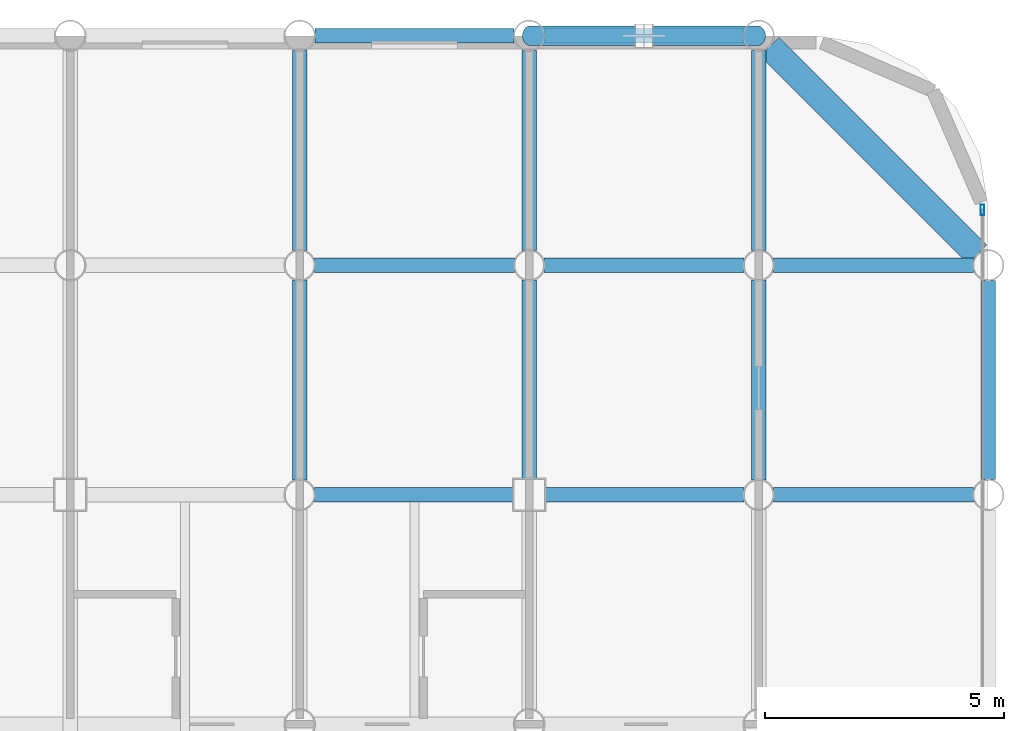
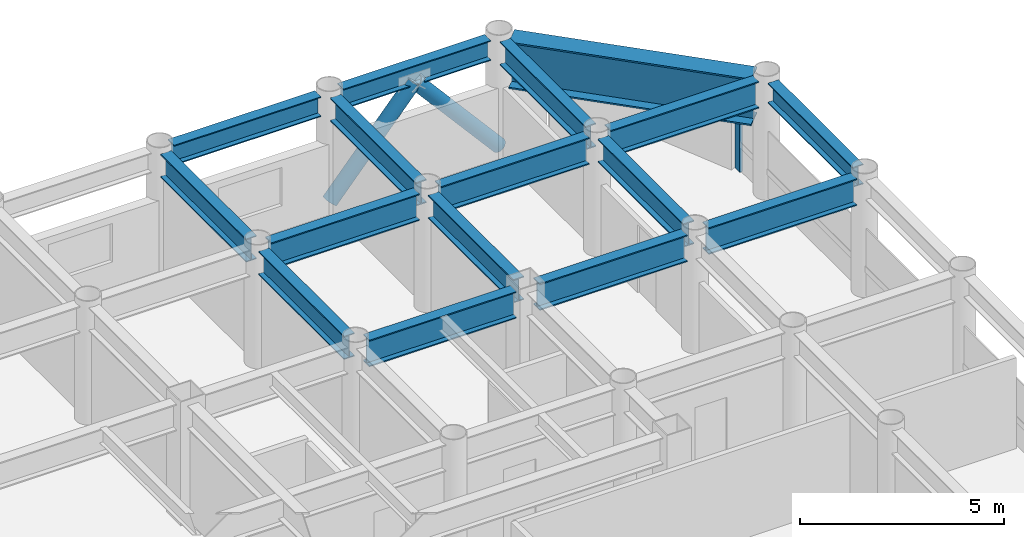
# One storey, part 14 of 20: 16 beams, 3 members, 1 element without a shape of its own.
"""IFC4 building model written with IfcOpenShell, lengths in metres."""

import ifcopenshell
import ifcopenshell.guid

model = None  # the IFC model being written
_history = None  # IfcOwnerHistory: only IFC2X3 demands one
_inside = {}  # id of a spatial element -> (the spatial element, [elements in it])
_under = {}  # id of a project, library or spatial element -> (it, [spatial elements below it])
_declared = {}  # id of a project -> (the project, [libraries it declares])
_typed = {}  # id of a type object -> (the type object, [elements of that type])
_made_of = {}  # id of a material, layer set ... -> (it, [elements and type objects made of it])


def new_model(schema):
    """Start an empty IFC model of exactly this schema.

    Asked for "IFC4X3", IfcOpenShell would pick the latest addendum, in which some entities
    have other attributes; the version numbers below select the first issue.
    IFC2X3 requires an IfcOwnerHistory on every rooted entity: one is made here for all.
    """
    global model, _history
    if schema == "IFC4X3":
        model = ifcopenshell.file(schema_version=(4, 3, 0, 0))
    else:
        model = ifcopenshell.file(schema=schema)
    _inside.clear()
    _under.clear()
    _declared.clear()
    _typed.clear()
    _made_of.clear()
    _history = None
    if model.schema == "IFC2X3":
        org = make("IfcOrganization", Name="unknown")
        user = make(
            "IfcPersonAndOrganization",
            ThePerson=make("IfcPerson", FamilyName="unknown"),
            TheOrganization=org,
        )
        app = make(
            "IfcApplication",
            ApplicationDeveloper=org,
            Version="unknown",
            ApplicationFullName="unknown",
            ApplicationIdentifier="unknown",
        )
        _history = make(
            "IfcOwnerHistory",
            OwningUser=user,
            OwningApplication=app,
            ChangeAction="ADDED",
            CreationDate=0,
        )
    return model


def make(cls, **values):
    """One entity of the class cls with the attributes given. An attribute that is None is left unset."""
    return model.create_entity(
        cls, **{name: value for name, value in values.items() if value is not None}
    )


def rooted(cls, **values):
    """An entity with a GlobalId (a new one), such as an element, a storey or a relation."""
    return make(cls, GlobalId=ifcopenshell.guid.new(), OwnerHistory=_history, **values)


def si_unit(unit_type, name, prefix=None):
    """IfcSIUnit, for example si_unit("LENGTHUNIT", "METRE", prefix="MILLI")."""
    return make("IfcSIUnit", UnitType=unit_type, Prefix=prefix, Name=name)


def assignment(units):
    """IfcUnitAssignment: the units of a project."""
    return None if units is None else make("IfcUnitAssignment", Units=units)


def point(xyz):
    """IfcCartesianPoint."""
    return None if xyz is None else make("IfcCartesianPoint", Coordinates=xyz)


def direction(xyz):
    """IfcDirection."""
    return None if xyz is None else make("IfcDirection", DirectionRatios=xyz)


def frame(location, z_axis=None, x_axis=None):
    """IfcAxis2Placement3D, a coordinate frame: its origin and axes. An axis left out is left unset."""
    return make(
        "IfcAxis2Placement3D",
        Location=point(location),
        Axis=direction(z_axis),
        RefDirection=direction(x_axis),
    )


def frame_2d(location, x_axis=None):
    """IfcAxis2Placement2D, a coordinate frame in the plane: its origin and x axis."""
    return make(
        "IfcAxis2Placement2D", Location=point(location), RefDirection=direction(x_axis)
    )


def origin():
    """The frame at (0, 0, 0) with its axes left unset."""
    return frame((0.0, 0.0, 0.0))


def origin_2d():
    """The frame at (0, 0) in the plane with its x axis left unset."""
    return frame_2d((0.0, 0.0))


def place(relative_to, where):
    """IfcLocalPlacement: puts the frame where relative to a parent placement (None: the world)."""
    return make(
        "IfcLocalPlacement", PlacementRelTo=relative_to, RelativePlacement=where
    )


def context(
    kind, dimensions, precision=None, world=None, true_north=None, identifier=None
):
    """IfcGeometricRepresentationContext, for example the 3D "Model" context."""
    return make(
        "IfcGeometricRepresentationContext",
        ContextIdentifier=identifier,
        ContextType=kind,
        CoordinateSpaceDimension=dimensions,
        Precision=precision,
        WorldCoordinateSystem=world,
        TrueNorth=true_north,
    )


def subcontext(parent, identifier, kind, view, scale=None):
    """IfcGeometricRepresentationSubContext, for example "Body" below "Model"."""
    return make(
        "IfcGeometricRepresentationSubContext",
        ContextIdentifier=identifier,
        ContextType=kind,
        ParentContext=parent,
        TargetScale=scale,
        TargetView=view,
    )


def project(units=None, contexts=None):
    """IfcProject with its units and contexts."""
    return rooted(
        "IfcProject",
        Name="project",
        RepresentationContexts=contexts,
        UnitsInContext=assignment(units),
    )


def spatial(cls, under=None, at=None, **own):
    """A site, building, storey or space (cls), placed at a placement, below another one or the project."""
    s = rooted(cls, ObjectPlacement=at, **own)
    if under is not None:
        _under.setdefault(under.id(), (under, []))[1].append(s)
    return s


def profile(cls, at=None, kind="AREA", **sizes):
    """A parametric profile (cls). Its sizes go by their IFC names, for example OverallWidth=200.0."""
    return make(cls, ProfileType=kind, Position=at, **sizes)


def hollow_rectangle(**sizes):
    """IfcRectangleHollowProfileDef."""
    return profile("IfcRectangleHollowProfileDef", **sizes)


def hollow_circle(**sizes):
    """IfcCircleHollowProfileDef."""
    return profile("IfcCircleHollowProfileDef", **sizes)


def i_section(**sizes):
    """IfcIShapeProfileDef."""
    return profile("IfcIShapeProfileDef", **sizes)


def extrude(swept, where, along, depth):
    """IfcExtrudedAreaSolid: the profile swept, set in the frame where, extruded along a direction by depth."""
    return make(
        "IfcExtrudedAreaSolid",
        SweptArea=swept,
        Position=where,
        ExtrudedDirection=direction(along),
        Depth=depth,
    )


def shape(context_of_items, identifier, shape_type, items):
    """IfcShapeRepresentation: the items that make up one representation, for example the "Body"."""
    return make(
        "IfcShapeRepresentation",
        ContextOfItems=context_of_items,
        RepresentationIdentifier=identifier,
        RepresentationType=shape_type,
        Items=items,
    )


def material(Name=None, Category=None):
    """IfcMaterial."""
    return make("IfcMaterial", Name=Name, Category=Category)


def layer(
    of_material, thickness, ventilated=None, Name=None, Category=None, Priority=None
):
    """IfcMaterialLayer: one layer of a wall or slab, of a material (None: an air gap)."""
    return make(
        "IfcMaterialLayer",
        Material=of_material,
        LayerThickness=thickness,
        IsVentilated=ventilated,
        Name=Name,
        Category=Category,
        Priority=Priority,
    )


def layer_set(layers, Name=None):
    """IfcMaterialLayerSet."""
    return make("IfcMaterialLayerSet", MaterialLayers=layers, LayerSetName=Name)


def material_profile(
    of_material, cross_section, Name=None, Category=None, Priority=None
):
    """IfcMaterialProfile: a cross section and its material."""
    return make(
        "IfcMaterialProfile",
        Name=Name,
        Material=of_material,
        Profile=cross_section,
        Priority=Priority,
        Category=Category,
    )


def profile_set(profiles, Name=None, composite=None):
    """IfcMaterialProfileSet."""
    return make(
        "IfcMaterialProfileSet",
        Name=Name,
        MaterialProfiles=profiles,
        CompositeProfile=composite,
    )


def made_of(thing, what):
    """Note that an element or type object is made of a material, layer set ...; save() writes the relation."""
    if what is not None:
        _made_of.setdefault(what.id(), (what, []))[1].append(thing)
    return thing


def type_object(cls, material=None, **own):
    """A type object (cls), such as IfcWallType, which elements share."""
    return made_of(rooted(cls, **own), material)


def element(
    cls,
    number,
    at=None,
    inside=None,
    cuts=None,
    type_object=None,
    material=None,
    context=None,
    identifier="Body",
    shape_type=None,
    held_by="IfcProductDefinitionShape",
    body=None,
    shapes=None,
    **own,
):
    """One element of the class cls, such as IfcWall. Its Tag is "e" and its number.

    at: its placement. inside: the storey or other place that contains it. cuts: it is an
    opening in that element (IfcRelVoidsElement). A single representation is given by context,
    identifier, shape_type and body (its items); several are given by shapes. held_by: the class
    of the entity that holds the representations. save() writes the other relations.
    """
    e = rooted(cls, Tag="e%d" % number, ObjectPlacement=at, **own)
    if body is not None:
        shapes = [shape(context, identifier, shape_type, body)]
    if shapes is not None:
        e.Representation = make(held_by, Representations=shapes)
    if inside is not None:
        _inside.setdefault(inside.id(), (inside, []))[1].append(e)
    if cuts is not None:
        rooted(
            "IfcRelVoidsElement", RelatingBuildingElement=cuts, RelatedOpeningElement=e
        )
    if type_object is not None:
        _typed.setdefault(type_object.id(), (type_object, []))[1].append(e)
    return made_of(e, material)


def aggregate(whole, parts):
    """IfcRelAggregates: a whole, such as a stair, and the parts it consists of."""
    return rooted("IfcRelAggregates", RelatingObject=whole, RelatedObjects=parts)


def save(model, path):
    """Write the relations noted so far, then the file.

    IfcRelAggregates (storeys below a building ...), IfcRelContainedInSpatialStructure (elements
    in a storey), IfcRelDefinesByType, IfcRelAssociatesMaterial and IfcRelDeclares: one each for
    every whole, place, type object, material and project.
    """
    for whole, parts in _under.values():
        aggregate(whole, parts)
    for where, things in _inside.values():
        rooted(
            "IfcRelContainedInSpatialStructure",
            RelatedElements=things,
            RelatingStructure=where,
        )
    for kind, things in _typed.values():
        rooted("IfcRelDefinesByType", RelatedObjects=things, RelatingType=kind)
    for what, things in _made_of.values():
        rooted("IfcRelAssociatesMaterial", RelatedObjects=things, RelatingMaterial=what)
    for by, libraries in _declared.values():
        rooted("IfcRelDeclares", RelatingContext=by, RelatedDefinitions=libraries)
    model.write(path)


model = new_model("IFC4")

# Units and contexts
model_context = context("Model", 3, precision=1e-05, world=origin(), true_north=direction((0.0, 1.0)))
body_context = subcontext(model_context, "Body", "Model", "MODEL_VIEW")
ifc_project = project(units=[si_unit("LENGTHUNIT", "METRE"), si_unit("AREAUNIT", "SQUARE_METRE"), si_unit("VOLUMEUNIT", "CUBIC_METRE"), si_unit("PLANEANGLEUNIT", "RADIAN"), si_unit("MASSUNIT", "GRAM", prefix="KILO")], contexts=[model_context])

# Site, building, storey
site_placement = place(None, origin())
site = spatial("IfcSite", under=ifc_project, at=site_placement, CompositionType="ELEMENT")
building_placement = place(site_placement, origin())
building = spatial("IfcBuilding", under=site, at=building_placement, Name="Kallvorn Hotel Tower", CompositionType="ELEMENT")
storey_placement = place(building_placement, frame((0.0, 0.0, 98.89990234375)))
storey = spatial("IfcBuildingStorey", under=building, at=storey_placement, Name="L23", CompositionType="ELEMENT", Elevation=98.89990234375)

# Beams
ifc_material_1 = material(Name="Structural steel S355JR", Category="steel")
ifc_material_profile_1 = material_profile(ifc_material_1, i_section(OverallWidth=0.300048828125, OverallDepth=0.60009765625, WebThickness=0.015380859375, FlangeThickness=0.030029296875, at=origin_2d()), Name="HE 600 B")
ifc_profile_set_1 = profile_set([ifc_material_profile_1], Name="Structural steel S355JR")
beam_type_1 = type_object("IfcBeamType", Name="BM_HE600B", PredefinedType="SPANDREL", material=ifc_profile_set_1)
for number, where, z_axis, x_axis, name in (
    (1, (19.52001953125, 24.0, 3.22021484375), (1.0, 0.0, 0.0), (0.0, 1.0, 0.0), "L24 Perimeter Spandrel 172"),
    (2, (24.320068359375, 24.0, 3.22021484375), (1.0, 0.0, 0.0), (0.0, 1.0, 0.0), "L24 Perimeter Spandrel 173"),
    (3, (33.60009765625, 14.719970703125, 3.22021484375), (0.0, 1.0, 0.0), (-1.0, 0.0, 0.0), "L24 Perimeter Spandrel 188"),
):
    element("IfcBeam", number, at=place(storey_placement, frame(where, z_axis=z_axis, x_axis=x_axis)), inside=storey, type_object=beam_type_1, Name=name, PredefinedType="SPANDREL", context=body_context, shape_type="SweptSolid", body=[
        extrude(i_section(OverallWidth=0.300048828125, OverallDepth=0.60009765625, WebThickness=0.015380859375, FlangeThickness=0.030029296875, at=origin_2d()), origin(), (0.0, 0.0, 1.0), 4.159912109375),
    ])
ifc_material_2 = material(Name="Structural steel S355JR", Category="steel")
ifc_material_profile_2 = material_profile(ifc_material_2, i_section(OverallWidth=0.300048828125, OverallDepth=0.699951171875, WebThickness=0.01708984375, FlangeThickness=0.031982421875, at=origin_2d()), Name="HE 700 B")
ifc_profile_set_2 = profile_set([ifc_material_profile_2], Name="Structural steel S355JR")
beam_type_2 = type_object("IfcBeamType", Name="BM_HE700B", PredefinedType="BEAM", material=ifc_profile_set_2)
beam_1_placement = place(storey_placement, frame((19.199951171875, 14.705078125, 3.170166015625), z_axis=(0.0, 1.0, 0.0), x_axis=(-1.0, 0.0, 0.0)))
element("IfcBeam", 4, at=beam_1_placement, inside=storey, type_object=beam_type_2, Name="L24 Primary Y-Girder 133", PredefinedType="BEAM", context=body_context, shape_type="SweptSolid", body=[
    extrude(i_section(OverallWidth=0.300048828125, OverallDepth=0.699951171875, WebThickness=0.01708984375, FlangeThickness=0.031982421875, at=origin_2d()), origin(), (0.0, 0.0, 1.0), 4.18994140625),
])
beam_2_placement = place(storey_placement, frame((19.199951171875, 19.5048828125, 3.170166015625), z_axis=(0.0, 1.0, 0.0), x_axis=(-1.0, 0.0, 0.0)))
element("IfcBeam", 5, at=beam_2_placement, inside=storey, type_object=beam_type_2, Name="L24 Primary Y-Girder 134", PredefinedType="BEAM", context=body_context, shape_type="SweptSolid", body=[
    extrude(i_section(OverallWidth=0.300048828125, OverallDepth=0.699951171875, WebThickness=0.01708984375, FlangeThickness=0.031982421875, at=origin_2d()), origin(), (0.0, 0.0, 1.0), 4.190185546875),
])
beam_3_placement = place(storey_placement, frame((24.0, 14.72509765625, 3.170166015625), z_axis=(0.0, 1.0, 0.0), x_axis=(-1.0, 0.0, 0.0)))
element("IfcBeam", 6, at=beam_3_placement, inside=storey, type_object=beam_type_2, Name="L24 Primary Y-Girder 140", PredefinedType="BEAM", context=body_context, shape_type="SweptSolid", body=[
    extrude(i_section(OverallWidth=0.300048828125, OverallDepth=0.699951171875, WebThickness=0.01708984375, FlangeThickness=0.031982421875, at=origin_2d()), origin(), (0.0, 0.0, 1.0), 4.169921875),
])
beam_4_placement = place(storey_placement, frame((24.0, 19.5048828125, 3.170166015625), z_axis=(0.0, 1.0, 0.0), x_axis=(-1.0, 0.0, 0.0)))
element("IfcBeam", 7, at=beam_4_placement, inside=storey, type_object=beam_type_2, Name="L24 Primary Y-Girder 141", PredefinedType="BEAM", context=body_context, shape_type="SweptSolid", body=[
    extrude(i_section(OverallWidth=0.300048828125, OverallDepth=0.699951171875, WebThickness=0.01708984375, FlangeThickness=0.031982421875, at=origin_2d()), origin(), (0.0, 0.0, 1.0), 4.190185546875),
])
beam_5_placement = place(storey_placement, frame((28.800048828125, 14.705078125, 3.170166015625), z_axis=(0.0, 1.0, 0.0), x_axis=(-1.0, 0.0, 0.0)))
element("IfcBeam", 8, at=beam_5_placement, inside=storey, type_object=beam_type_2, Name="L24 Primary Y-Girder 149", PredefinedType="BEAM", context=body_context, shape_type="SweptSolid", body=[
    extrude(i_section(OverallWidth=0.300048828125, OverallDepth=0.699951171875, WebThickness=0.01708984375, FlangeThickness=0.031982421875, at=origin_2d()), origin(), (0.0, 0.0, 1.0), 4.18994140625),
])
beam_6_placement = place(storey_placement, frame((28.800048828125, 19.5048828125, 3.170166015625), z_axis=(0.0, 1.0, 0.0), x_axis=(-1.0, 0.0, 0.0)))
element("IfcBeam", 9, at=beam_6_placement, inside=storey, type_object=beam_type_2, Name="L24 Primary Y-Girder 150", PredefinedType="BEAM", context=body_context, shape_type="SweptSolid", body=[
    extrude(i_section(OverallWidth=0.300048828125, OverallDepth=0.699951171875, WebThickness=0.01708984375, FlangeThickness=0.031982421875, at=origin_2d()), origin(), (0.0, 0.0, 1.0), 4.190185546875),
])
ifc_material_3 = material(Name="Structural steel S355JR", Category="steel")
ifc_material_profile_3 = material_profile(ifc_material_3, i_section(OverallWidth=0.300048828125, OverallDepth=0.800048828125, WebThickness=0.017578125, FlangeThickness=0.032958984375, at=origin_2d()), Name="HE 800 B")
ifc_profile_set_3 = profile_set([ifc_material_profile_3], Name="Structural steel S355JR")
beam_type_3 = type_object("IfcBeamType", Name="BM_HE800B", PredefinedType="BEAM", material=ifc_profile_set_3)
for number, where, z_axis, x_axis, name in (
    (10, (19.5048828125, 14.39990234375, 3.1201171875), (1.0, 0.0, 0.0), (0.0, 1.0, 0.0), "L24 Primary X-Girder 57"),
    (11, (24.324951171875, 14.39990234375, 3.1201171875), (1.0, 0.0, 0.0), (0.0, 1.0, 0.0), "L24 Primary X-Girder 58"),
):
    element("IfcBeam", number, at=place(storey_placement, frame(where, z_axis=z_axis, x_axis=x_axis)), inside=storey, type_object=beam_type_3, Name=name, PredefinedType="BEAM", context=body_context, shape_type="SweptSolid", body=[
        extrude(i_section(OverallWidth=0.300048828125, OverallDepth=0.800048828125, WebThickness=0.017578125, FlangeThickness=0.032958984375, at=origin_2d()), origin(), (0.0, 0.0, 1.0), 4.170166015625),
    ])
beam_7_placement = place(storey_placement, frame((29.10498046875, 14.39990234375, 3.1201171875), z_axis=(1.0, 0.0, 0.0), x_axis=(0.0, 1.0, 0.0)))
element("IfcBeam", 12, at=beam_7_placement, inside=storey, type_object=beam_type_3, Name="L24 Primary X-Girder 59", PredefinedType="BEAM", context=body_context, shape_type="SweptSolid", body=[
    extrude(i_section(OverallWidth=0.300048828125, OverallDepth=0.800048828125, WebThickness=0.017578125, FlangeThickness=0.032958984375, at=origin_2d()), origin(), (0.0, 0.0, 1.0), 4.18994140625),
])
for number, where, z_axis, x_axis, name in (
    (13, (19.5048828125, 19.199951171875, 3.1201171875), (1.0, 0.0, 0.0), (0.0, 1.0, 0.0), "L24 Primary X-Girder 70"),
    (14, (24.304931640625, 19.199951171875, 3.1201171875), (1.0, 0.0, 0.0), (0.0, 1.0, 0.0), "L24 Primary X-Girder 71"),
):
    element("IfcBeam", number, at=place(storey_placement, frame(where, z_axis=z_axis, x_axis=x_axis)), inside=storey, type_object=beam_type_3, Name=name, PredefinedType="BEAM", context=body_context, shape_type="SweptSolid", body=[
        extrude(i_section(OverallWidth=0.300048828125, OverallDepth=0.800048828125, WebThickness=0.017578125, FlangeThickness=0.032958984375, at=origin_2d()), origin(), (0.0, 0.0, 1.0), 4.190185546875),
    ])
beam_8_placement = place(storey_placement, frame((29.10498046875, 19.199951171875, 3.1201171875), z_axis=(1.0, 0.0, 0.0), x_axis=(0.0, 1.0, 0.0)))
element("IfcBeam", 15, at=beam_8_placement, inside=storey, type_object=beam_type_3, Name="L24 Primary X-Girder 72", PredefinedType="BEAM", context=body_context, shape_type="SweptSolid", body=[
    extrude(i_section(OverallWidth=0.300048828125, OverallDepth=0.800048828125, WebThickness=0.017578125, FlangeThickness=0.032958984375, at=origin_2d()), origin(), (0.0, 0.0, 1.0), 4.18994140625),
])
ifc_material_4 = material(Name="Structural steel S355JR", Category="steel")
ifc_material_profile_4 = material_profile(ifc_material_4, i_section(OverallWidth=0.550048828125, OverallDepth=1.39990234375, WebThickness=0.02490234375, FlangeThickness=0.044921875, at=origin_2d()), Name="PG 1400x550x25x45")
ifc_profile_set_4 = profile_set([ifc_material_profile_4], Name="Structural steel S355JR")
beam_type_4 = type_object("IfcBeamType", Name="BM_PG_1400", PredefinedType="BEAM", material=ifc_profile_set_4)
beam_9_placement = place(storey_placement, frame((33.373779296875, 19.42626953125, 2.820068359375), z_axis=(-0.707106781187, 0.707106781187, 0.0), x_axis=(-0.707106781187, -0.707106781187, 0.0)))
element("IfcBeam", 16, at=beam_9_placement, inside=storey, type_object=beam_type_4, Name="L24 Rounded Corner Tie Beam 191", PredefinedType="BEAM", context=body_context, shape_type="SweptSolid", body=[
    extrude(i_section(OverallWidth=0.550048828125, OverallDepth=1.39990234375, WebThickness=0.02490234375, FlangeThickness=0.044921875, at=origin_2d()), origin(), (0.0, 0.0, 1.0), 6.148193359375),
])

# Curtain wall, member
ifc_material_5 = material(Name="Thermally broken black-anodised aluminium AA 6063-T6", Category="aluminium")
ifc_layer = layer(ifc_material_5, 0.199951171875)
ifc_layer_set = layer_set([ifc_layer], Name="CW_SYS_3_HOTEL_LOW")
curtain_wall_type = type_object("IfcCurtainWallType", Name="CW_SYS_3_HOTEL_LOW", PredefinedType="USERDEFINED", material=ifc_layer_set)
curtain_wall_placement = place(storey_placement, origin())
curtain_wall = element("IfcCurtainWall", 17, at=curtain_wall_placement, inside=storey, type_object=curtain_wall_type, Name="L23 Dark-Glass Curtain Wall CW-L23-EN", ObjectType="UNITISED CURTAIN WALL", PredefinedType="USERDEFINED")
ifc_material_6 = material(Name="Thermally broken black-anodised aluminium AA 6063-T6", Category="aluminium")
ifc_material_profile_5 = material_profile(ifc_material_6, hollow_rectangle(XDim=0.080078125, YDim=0.219970703125, WallThickness=0.0048828125, at=origin_2d()), Name="MUL 220x80")
ifc_profile_set_5 = profile_set([ifc_material_profile_5], Name="Thermally broken black-anodised aluminium AA 6063-T6")
member_type_1 = type_object("IfcMemberType", Name="CW_MULLION_220x80", PredefinedType="MULLION", material=ifc_profile_set_5)
member_placement = place(storey_placement, frame((33.47998046875, 20.360107421875, 0.02001953125), z_axis=(0.0, 0.0, 1.0), x_axis=(1.0, 0.0, 0.0)))
member = element("IfcMember", 18, at=member_placement, type_object=member_type_1, Name="CW-L23-EN Mullion 01", PredefinedType="MULLION", context=body_context, shape_type="SweptSolid", body=[
    extrude(hollow_rectangle(XDim=0.080078125, YDim=0.219970703125, WallThickness=0.0048828125, at=origin_2d()), origin(), (0.0, 0.0, 1.0), 2.080078125),
])
aggregate(curtain_wall, [member])

# Members
ifc_material_7 = material(Name="Structural steel S355J2H", Category="steel")
ifc_material_profile_6 = material_profile(ifc_material_7, hollow_circle(Radius=0.203125, WallThickness=0.01611328125, at=origin_2d()), Name="CHS 406.4x16")
ifc_profile_set_6 = profile_set([ifc_material_profile_6], Name="Structural steel S355J2H")
member_type_2 = type_object("IfcMemberType", Name="MBR_EXO_CHS406", PredefinedType="BRACE", material=ifc_profile_set_6)
for number, where, z_axis, x_axis, name in (
    (19, (24.01318359375, 24.0, 0.1953125), (0.65346062529, 0.0, 0.756960508346), (0.0, 1.0, 0.0), "L23 Exoskeleton K-Brace N2A"),
    (20, (28.786865234375, 24.0, 0.1953125), (-0.65346062529, 0.0, 0.756960508346), (0.0, -1.0, 0.0), "L23 Exoskeleton K-Brace N2B"),
):
    element("IfcMember", number, at=place(storey_placement, frame(where, z_axis=z_axis, x_axis=x_axis)), inside=storey, type_object=member_type_2, Name=name, PredefinedType="BRACE", context=body_context, shape_type="SweptSolid", body=[
        extrude(hollow_circle(Radius=0.203125, WallThickness=0.01611328125, at=origin_2d()), origin(), (0.0, 0.0, 1.0), 3.632568359375),
    ])

save(model, "model.ifc")
